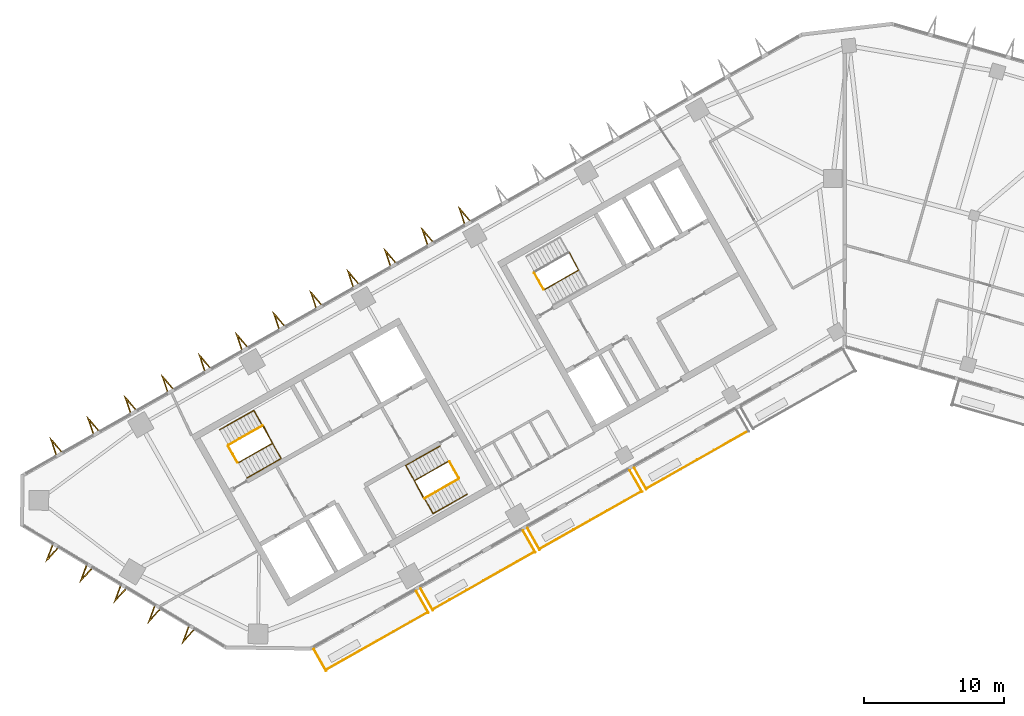
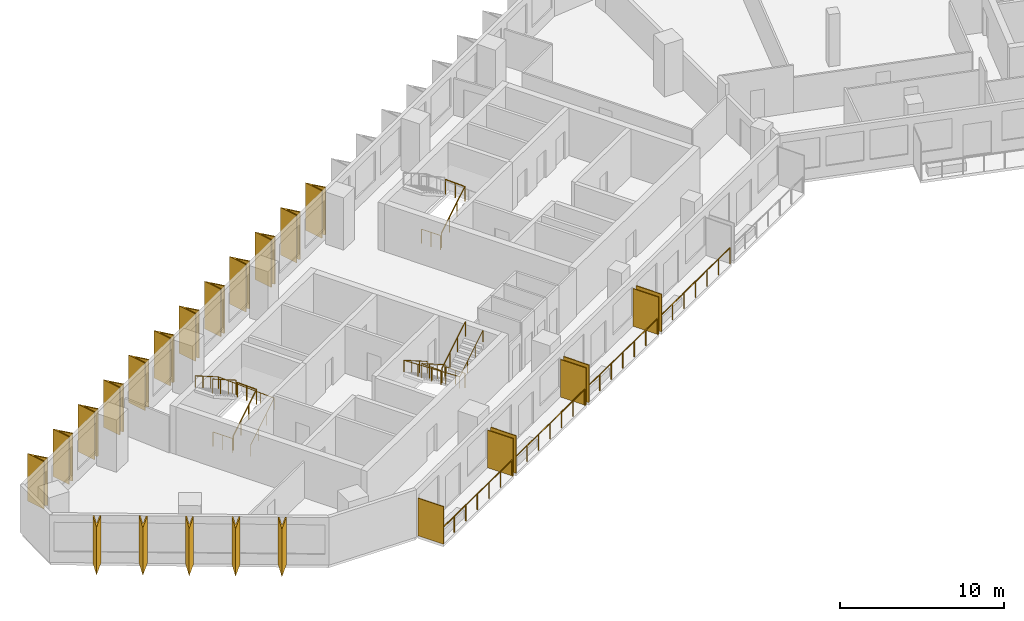
# One storey, part 10 of 12: 24 shading devices, 14 railings.
"""IFC4 building model written with IfcOpenShell, lengths in metres."""

import ifcopenshell
import ifcopenshell.guid

model = None  # the IFC model being written
_history = None  # IfcOwnerHistory: only IFC2X3 demands one
_inside = {}  # id of a spatial element -> (the spatial element, [elements in it])
_under = {}  # id of a project, library or spatial element -> (it, [spatial elements below it])
_declared = {}  # id of a project -> (the project, [libraries it declares])
_typed = {}  # id of a type object -> (the type object, [elements of that type])
_made_of = {}  # id of a material, layer set ... -> (it, [elements and type objects made of it])


def new_model(schema):
    """Start an empty IFC model of exactly this schema.

    Asked for "IFC4X3", IfcOpenShell would pick the latest addendum, in which some entities
    have other attributes; the version numbers below select the first issue.
    IFC2X3 requires an IfcOwnerHistory on every rooted entity: one is made here for all.
    """
    global model, _history
    if schema == "IFC4X3":
        model = ifcopenshell.file(schema_version=(4, 3, 0, 0))
    else:
        model = ifcopenshell.file(schema=schema)
    _inside.clear()
    _under.clear()
    _declared.clear()
    _typed.clear()
    _made_of.clear()
    _history = None
    if model.schema == "IFC2X3":
        org = make("IfcOrganization", Name="unknown")
        user = make(
            "IfcPersonAndOrganization",
            ThePerson=make("IfcPerson", FamilyName="unknown"),
            TheOrganization=org,
        )
        app = make(
            "IfcApplication",
            ApplicationDeveloper=org,
            Version="unknown",
            ApplicationFullName="unknown",
            ApplicationIdentifier="unknown",
        )
        _history = make(
            "IfcOwnerHistory",
            OwningUser=user,
            OwningApplication=app,
            ChangeAction="ADDED",
            CreationDate=0,
        )
    return model


def make(cls, **values):
    """One entity of the class cls with the attributes given. An attribute that is None is left unset."""
    return model.create_entity(
        cls, **{name: value for name, value in values.items() if value is not None}
    )


def rooted(cls, **values):
    """An entity with a GlobalId (a new one), such as an element, a storey or a relation."""
    return make(cls, GlobalId=ifcopenshell.guid.new(), OwnerHistory=_history, **values)


def si_unit(unit_type, name, prefix=None):
    """IfcSIUnit, for example si_unit("LENGTHUNIT", "METRE", prefix="MILLI")."""
    return make("IfcSIUnit", UnitType=unit_type, Prefix=prefix, Name=name)


def assignment(units):
    """IfcUnitAssignment: the units of a project."""
    return None if units is None else make("IfcUnitAssignment", Units=units)


def point(xyz):
    """IfcCartesianPoint."""
    return None if xyz is None else make("IfcCartesianPoint", Coordinates=xyz)


def direction(xyz):
    """IfcDirection."""
    return None if xyz is None else make("IfcDirection", DirectionRatios=xyz)


def frame(location, z_axis=None, x_axis=None):
    """IfcAxis2Placement3D, a coordinate frame: its origin and axes. An axis left out is left unset."""
    return make(
        "IfcAxis2Placement3D",
        Location=point(location),
        Axis=direction(z_axis),
        RefDirection=direction(x_axis),
    )


def frame_2d(location, x_axis=None):
    """IfcAxis2Placement2D, a coordinate frame in the plane: its origin and x axis."""
    return make(
        "IfcAxis2Placement2D", Location=point(location), RefDirection=direction(x_axis)
    )


def origin():
    """The frame at (0, 0, 0) with its axes left unset."""
    return frame((0.0, 0.0, 0.0))


def origin_2d():
    """The frame at (0, 0) in the plane with its x axis left unset."""
    return frame_2d((0.0, 0.0))


def place(relative_to, where):
    """IfcLocalPlacement: puts the frame where relative to a parent placement (None: the world)."""
    return make(
        "IfcLocalPlacement", PlacementRelTo=relative_to, RelativePlacement=where
    )


def context(
    kind, dimensions, precision=None, world=None, true_north=None, identifier=None
):
    """IfcGeometricRepresentationContext, for example the 3D "Model" context."""
    return make(
        "IfcGeometricRepresentationContext",
        ContextIdentifier=identifier,
        ContextType=kind,
        CoordinateSpaceDimension=dimensions,
        Precision=precision,
        WorldCoordinateSystem=world,
        TrueNorth=true_north,
    )


def subcontext(parent, identifier, kind, view, scale=None):
    """IfcGeometricRepresentationSubContext, for example "Body" below "Model"."""
    return make(
        "IfcGeometricRepresentationSubContext",
        ContextIdentifier=identifier,
        ContextType=kind,
        ParentContext=parent,
        TargetScale=scale,
        TargetView=view,
    )


def project(units=None, contexts=None):
    """IfcProject with its units and contexts."""
    return rooted(
        "IfcProject",
        Name="project",
        RepresentationContexts=contexts,
        UnitsInContext=assignment(units),
    )


def spatial(cls, under=None, at=None, **own):
    """A site, building, storey or space (cls), placed at a placement, below another one or the project."""
    s = rooted(cls, ObjectPlacement=at, **own)
    if under is not None:
        _under.setdefault(under.id(), (under, []))[1].append(s)
    return s


def polyline(points):
    """IfcPolyline through the points."""
    return make("IfcPolyline", Points=[point(p) for p in points])


def profile(cls, at=None, kind="AREA", **sizes):
    """A parametric profile (cls). Its sizes go by their IFC names, for example OverallWidth=200.0."""
    return make(cls, ProfileType=kind, Position=at, **sizes)


def rectangle(**sizes):
    """IfcRectangleProfileDef."""
    return profile("IfcRectangleProfileDef", **sizes)


def circle(**sizes):
    """IfcCircleProfileDef."""
    return profile("IfcCircleProfileDef", **sizes)


def outline(outer, holes=None, kind="AREA"):
    """IfcArbitraryClosedProfileDef: a profile drawn as a closed curve; with holes, ...WithVoids."""
    if holes is None:
        return make("IfcArbitraryClosedProfileDef", ProfileType=kind, OuterCurve=outer)
    return make(
        "IfcArbitraryProfileDefWithVoids",
        ProfileType=kind,
        OuterCurve=outer,
        InnerCurves=holes,
    )


def extrude(swept, where, along, depth):
    """IfcExtrudedAreaSolid: the profile swept, set in the frame where, extruded along a direction by depth."""
    return make(
        "IfcExtrudedAreaSolid",
        SweptArea=swept,
        Position=where,
        ExtrudedDirection=direction(along),
        Depth=depth,
    )


def shape(context_of_items, identifier, shape_type, items):
    """IfcShapeRepresentation: the items that make up one representation, for example the "Body"."""
    return make(
        "IfcShapeRepresentation",
        ContextOfItems=context_of_items,
        RepresentationIdentifier=identifier,
        RepresentationType=shape_type,
        Items=items,
    )


def material(Name=None, Category=None):
    """IfcMaterial."""
    return make("IfcMaterial", Name=Name, Category=Category)


def layer(
    of_material, thickness, ventilated=None, Name=None, Category=None, Priority=None
):
    """IfcMaterialLayer: one layer of a wall or slab, of a material (None: an air gap)."""
    return make(
        "IfcMaterialLayer",
        Material=of_material,
        LayerThickness=thickness,
        IsVentilated=ventilated,
        Name=Name,
        Category=Category,
        Priority=Priority,
    )


def layer_set(layers, Name=None):
    """IfcMaterialLayerSet."""
    return make("IfcMaterialLayerSet", MaterialLayers=layers, LayerSetName=Name)


def made_of(thing, what):
    """Note that an element or type object is made of a material, layer set ...; save() writes the relation."""
    if what is not None:
        _made_of.setdefault(what.id(), (what, []))[1].append(thing)
    return thing


def type_object(cls, material=None, **own):
    """A type object (cls), such as IfcWallType, which elements share."""
    return made_of(rooted(cls, **own), material)


def element(
    cls,
    number,
    at=None,
    inside=None,
    cuts=None,
    type_object=None,
    material=None,
    context=None,
    identifier="Body",
    shape_type=None,
    held_by="IfcProductDefinitionShape",
    body=None,
    shapes=None,
    **own,
):
    """One element of the class cls, such as IfcWall. Its Tag is "e" and its number.

    at: its placement. inside: the storey or other place that contains it. cuts: it is an
    opening in that element (IfcRelVoidsElement). A single representation is given by context,
    identifier, shape_type and body (its items); several are given by shapes. held_by: the class
    of the entity that holds the representations. save() writes the other relations.
    """
    e = rooted(cls, Tag="e%d" % number, ObjectPlacement=at, **own)
    if body is not None:
        shapes = [shape(context, identifier, shape_type, body)]
    if shapes is not None:
        e.Representation = make(held_by, Representations=shapes)
    if inside is not None:
        _inside.setdefault(inside.id(), (inside, []))[1].append(e)
    if cuts is not None:
        rooted(
            "IfcRelVoidsElement", RelatingBuildingElement=cuts, RelatedOpeningElement=e
        )
    if type_object is not None:
        _typed.setdefault(type_object.id(), (type_object, []))[1].append(e)
    return made_of(e, material)


def aggregate(whole, parts):
    """IfcRelAggregates: a whole, such as a stair, and the parts it consists of."""
    return rooted("IfcRelAggregates", RelatingObject=whole, RelatedObjects=parts)


def save(model, path):
    """Write the relations noted so far, then the file.

    IfcRelAggregates (storeys below a building ...), IfcRelContainedInSpatialStructure (elements
    in a storey), IfcRelDefinesByType, IfcRelAssociatesMaterial and IfcRelDeclares: one each for
    every whole, place, type object, material and project.
    """
    for whole, parts in _under.values():
        aggregate(whole, parts)
    for where, things in _inside.values():
        rooted(
            "IfcRelContainedInSpatialStructure",
            RelatedElements=things,
            RelatingStructure=where,
        )
    for kind, things in _typed.values():
        rooted("IfcRelDefinesByType", RelatedObjects=things, RelatingType=kind)
    for what, things in _made_of.values():
        rooted("IfcRelAssociatesMaterial", RelatedObjects=things, RelatingMaterial=what)
    for by, libraries in _declared.values():
        rooted("IfcRelDeclares", RelatingContext=by, RelatedDefinitions=libraries)
    model.write(path)


model = new_model("IFC4")

# Units and contexts
model_context = context("Model", 3, precision=1e-05, world=origin(), true_north=direction((0.0, 1.0)))
body_context = subcontext(model_context, "Body", "Model", "MODEL_VIEW")
ifc_project = project(units=[si_unit("LENGTHUNIT", "METRE"), si_unit("AREAUNIT", "SQUARE_METRE"), si_unit("VOLUMEUNIT", "CUBIC_METRE"), si_unit("PLANEANGLEUNIT", "RADIAN"), si_unit("MASSUNIT", "GRAM", prefix="KILO")], contexts=[model_context])

# Site, building, storey
site_placement = place(None, origin())
site = spatial("IfcSite", under=ifc_project, at=site_placement, CompositionType="ELEMENT")
building_placement = place(site_placement, origin())
building = spatial("IfcBuilding", under=site, at=building_placement, Name="Binnacle Exchange Tower", CompositionType="ELEMENT")
storey_placement = place(building_placement, frame((0.0, 0.0, 254.300048828125)))
storey = spatial("IfcBuildingStorey", under=building, at=storey_placement, Name="L56", CompositionType="ELEMENT", Elevation=254.300048828125)

# Railings
ifc_material_1 = material(Name="Bronze anodised aluminium frame", Category="aluminium")
railing_type_1 = type_object("IfcRailingType", Name="GUARD 1200", PredefinedType="GUARDRAIL", material=ifc_material_1)
railing_1_placement = place(storey_placement, frame((-37.006591796875, 24.94287109375, 0.0)))
element("IfcRailing", 1, at=railing_1_placement, inside=storey, type_object=railing_type_1, Name="Balcony guard G01-B00 L56", PredefinedType="GUARDRAIL", context=body_context, shape_type="SweptSolid", body=[
    extrude(circle(Radius=0.02392578125, at=origin_2d()), frame((0.0, 0.0, 1.17578125), z_axis=(0.870353267448, 0.492427852424, 0.0), x_axis=(-0.492427852424, 0.870353267448, 0.0)), (0.0, 0.0, 1.0), 8.334716796875),
    extrude(circle(Radius=0.02099609375, at=origin_2d()), origin(), (0.0, 0.0, 1.0), 1.15185546875),
    extrude(circle(Radius=0.02099609375, at=origin_2d()), frame((1.208984375, 0.68408203125, 0.0)), (0.0, 0.0, 1.0), 1.15185546875),
    extrude(circle(Radius=0.02099609375, at=origin_2d()), frame((2.41796875, 1.3681640625, 0.0)), (0.0, 0.0, 1.0), 1.15185546875),
    extrude(circle(Radius=0.02099609375, at=origin_2d()), frame((3.626953125, 2.05224609375, 0.0)), (0.0, 0.0, 1.0), 1.15185546875),
    extrude(circle(Radius=0.02099609375, at=origin_2d()), frame((4.836181640625, 2.736083984375, 0.0)), (0.0, 0.0, 1.0), 1.15185546875),
    extrude(circle(Radius=0.02099609375, at=origin_2d()), frame((6.045166015625, 3.420166015625, 0.0)), (0.0, 0.0, 1.0), 1.15185546875),
    extrude(circle(Radius=0.02099609375, at=origin_2d()), frame((7.254150390625, 4.104248046875, 0.0)), (0.0, 0.0, 1.0), 1.15185546875),
])
railing_2_placement = place(storey_placement, frame((-29.386962890625, 29.25390625, 0.0)))
element("IfcRailing", 2, at=railing_2_placement, inside=storey, type_object=railing_type_1, Name="Balcony guard G01-B01 L56", PredefinedType="GUARDRAIL", context=body_context, shape_type="SweptSolid", body=[
    extrude(circle(Radius=0.02392578125, at=origin_2d()), frame((0.0, 0.0, 1.17578125), z_axis=(0.870365821494, 0.492405662818, 0.0), x_axis=(-0.492405662818, 0.870365821494, 0.0)), (0.0, 0.0, 1.0), 8.334716796875),
    extrude(circle(Radius=0.02099609375, at=origin_2d()), origin(), (0.0, 0.0, 1.0), 1.15185546875),
    extrude(circle(Radius=0.02099609375, at=origin_2d()), frame((1.208984375, 0.68408203125, 0.0)), (0.0, 0.0, 1.0), 1.15185546875),
    extrude(circle(Radius=0.02099609375, at=origin_2d()), frame((2.41796875, 1.367919921875, 0.0)), (0.0, 0.0, 1.0), 1.15185546875),
    extrude(circle(Radius=0.02099609375, at=origin_2d()), frame((3.626953125, 2.052001953125, 0.0)), (0.0, 0.0, 1.0), 1.15185546875),
    extrude(circle(Radius=0.02099609375, at=origin_2d()), frame((4.836181640625, 2.736083984375, 0.0)), (0.0, 0.0, 1.0), 1.15185546875),
    extrude(circle(Radius=0.02099609375, at=origin_2d()), frame((6.045166015625, 3.419921875, 0.0)), (0.0, 0.0, 1.0), 1.15185546875),
    extrude(circle(Radius=0.02099609375, at=origin_2d()), frame((7.254150390625, 4.10400390625, 0.0)), (0.0, 0.0, 1.0), 1.15185546875),
])
for number, where, name in (
    (3, (-21.767333984375, 33.564697265625, 0.0), "Balcony guard G01-B02 L56"),
    (4, (-14.147705078125, 37.875732421875, 0.0), "Balcony guard G01-B03 L56"),
):
    element("IfcRailing", number, at=place(storey_placement, frame(where)), inside=storey, type_object=railing_type_1, Name=name, PredefinedType="GUARDRAIL", context=body_context, shape_type="SweptSolid", body=[
        extrude(circle(Radius=0.02392578125, at=origin_2d()), frame((0.0, 0.0, 1.17578125), z_axis=(0.8703461643, 0.49244040684, 0.0), x_axis=(-0.49244040684, 0.8703461643, 0.0)), (0.0, 0.0, 1.0), 8.33447265625),
        extrude(circle(Radius=0.02099609375, at=origin_2d()), origin(), (0.0, 0.0, 1.0), 1.15185546875),
        extrude(circle(Radius=0.02099609375, at=origin_2d()), frame((1.208984375, 0.68408203125, 0.0)), (0.0, 0.0, 1.0), 1.15185546875),
        extrude(circle(Radius=0.02099609375, at=origin_2d()), frame((2.41796875, 1.3681640625, 0.0)), (0.0, 0.0, 1.0), 1.15185546875),
        extrude(circle(Radius=0.02099609375, at=origin_2d()), frame((3.626953125, 2.05224609375, 0.0)), (0.0, 0.0, 1.0), 1.15185546875),
        extrude(circle(Radius=0.02099609375, at=origin_2d()), frame((4.8359375, 2.736083984375, 0.0)), (0.0, 0.0, 1.0), 1.15185546875),
        extrude(circle(Radius=0.02099609375, at=origin_2d()), frame((6.044921875, 3.420166015625, 0.0)), (0.0, 0.0, 1.0), 1.15185546875),
        extrude(circle(Radius=0.02099609375, at=origin_2d()), frame((7.25390625, 4.104248046875, 0.0)), (0.0, 0.0, 1.0), 1.15185546875),
    ])

# Shading devices
ifc_material_2 = material(Name="Bronze aluminium louvre", Category="aluminium")
ifc_layer = layer(ifc_material_2, 0.06005859375)
ifc_layer_set = layer_set([ifc_layer], Name="PLANTED SCREEN 60x2800")
shading_device_type_1 = type_object("IfcShadingDeviceType", Name="PLANTED SCREEN 60x2800", PredefinedType="USERDEFINED", material=ifc_layer_set)
for number, where, z_axis, x_axis, name in (
    (5, (-37.436279296875, 25.641845703125, 0.0), (0.0, 0.0, 1.0), (0.87035569594, 0.492423560103, 0.0), "Planted screen G01-B00a L56"),
    (6, (-30.130126953125, 29.775390625, 0.0), (0.0, 0.0, 1.0), (0.87035569594, 0.492423560103, 0.0), "Planted screen G01-B00b L56"),
    (7, (-29.81689453125, 29.95263671875, 0.0), (0.0, 0.0, 1.0), (0.87035569594, 0.492423560103, 0.0), "Planted screen G01-B01a L56"),
    (8, (-22.510498046875, 34.08642578125, 0.0), (0.0, 0.0, 1.0), (0.87035569594, 0.492423560103, 0.0), "Planted screen G01-B01b L56"),
    (9, (-22.197265625, 34.263671875, 0.0), (0.0, 0.0, 1.0), (0.87035569594, 0.492423560103, 0.0), "Planted screen G01-B02a L56"),
    (10, (-14.89111328125, 38.3974609375, 0.0), (0.0, 0.0, 1.0), (0.87035569594, 0.492423560103, 0.0), "Planted screen G01-B02b L56"),
    (11, (-14.57763671875, 38.57470703125, 0.0), (0.0, 0.0, 1.0), (0.87035569594, 0.492423560103, 0.0), "Planted screen G01-B03a L56"),
):
    element("IfcShadingDevice", number, at=place(storey_placement, frame(where, z_axis=z_axis, x_axis=x_axis)), inside=storey, type_object=shading_device_type_1, Name=name, ObjectType="SCREEN", PredefinedType="USERDEFINED", context=body_context, shape_type="SweptSolid", body=[
        extrude(rectangle(XDim=0.06005859375, YDim=1.800048828125, at=origin_2d()), origin(), (0.0, 0.0, 1.0), 2.800048828125),
    ])

# Railings
ifc_material_3 = material(Name="Steel guard rail", Category="steel")
railing_type_2 = type_object("IfcRailingType", Name="STAIR GUARD 1100", PredefinedType="GUARDRAIL", material=ifc_material_3)
railing_3_placement = place(storey_placement, frame((-43.26171875, 39.71728515625, 0.17724609375)))
element("IfcRailing", 12, at=railing_3_placement, inside=storey, type_object=railing_type_2, Name="L56 STA1 stair guard 1", PredefinedType="GUARDRAIL", context=body_context, shape_type="SweptSolid", body=[
    extrude(circle(Radius=0.02392578125, at=origin_2d()), frame((0.0, 0.0, 1.076171875), z_axis=(0.735358749054, 0.416079564682, 0.534906819964), x_axis=(-0.492453686477, 0.870338650569, 0.0)), (0.0, 0.0, 1.0), 3.31396484375),
    extrude(circle(Radius=0.02392578125, at=origin_2d()), frame((2.43701171875, 1.37890625, 2.8486328125), z_axis=(-0.461100321709, 0.887348011391, 0.0), x_axis=(-0.887348011391, -0.461100321709, 0.0)), (0.0, 0.0, 1.0), 1.40087890625),
    extrude(circle(Radius=0.02099609375, at=origin_2d()), origin(), (0.0, 0.0, 1.0), 1.052001953125),
    extrude(circle(Radius=0.02099609375, at=origin_2d()), frame((0.812255859375, 0.459716796875, 0.5908203125)), (0.0, 0.0, 1.0), 1.052001953125),
    extrude(circle(Radius=0.02099609375, at=origin_2d()), frame((1.624755859375, 0.919189453125, 1.181884765625)), (0.0, 0.0, 1.0), 1.052001953125),
    extrude(circle(Radius=0.02099609375, at=origin_2d()), frame((2.43701171875, 1.37890625, 1.772705078125)), (0.0, 0.0, 1.0), 1.052001953125),
    extrude(circle(Radius=0.02099609375, at=origin_2d()), frame((2.114013671875, 2.00048828125, 1.772705078125)), (0.0, 0.0, 1.0), 1.052001953125),
    extrude(circle(Radius=0.02099609375, at=origin_2d()), frame((1.791015625, 2.6220703125, 1.772705078125)), (0.0, 0.0, 1.0), 1.052001953125),
])
railing_4_placement = place(storey_placement, frame((-41.538818359375, 42.358154296875, 2.127197265625)))
element("IfcRailing", 13, at=railing_4_placement, inside=storey, type_object=railing_type_2, Name="L56 STA1 stair guard 2", PredefinedType="GUARDRAIL", context=body_context, shape_type="SweptSolid", body=[
    extrude(circle(Radius=0.02392578125, at=origin_2d()), frame((0.0, 0.0, 1.076171875), z_axis=(-0.735358749054, -0.416079564682, 0.534906819964), x_axis=(0.492453686477, -0.870338650569, 0.0)), (0.0, 0.0, 1.0), 3.31396484375),
    extrude(circle(Radius=0.02099609375, at=origin_2d()), origin(), (0.0, 0.0, 1.0), 1.052001953125),
    extrude(circle(Radius=0.02099609375, at=origin_2d()), frame((-0.812255859375, -0.459716796875, 0.5908203125)), (0.0, 0.0, 1.0), 1.052001953125),
    extrude(circle(Radius=0.02099609375, at=origin_2d()), frame((-1.624755859375, -0.919189453125, 1.181884765625)), (0.0, 0.0, 1.0), 1.052001953125),
    extrude(circle(Radius=0.02099609375, at=origin_2d()), frame((-2.43701171875, -1.37890625, 1.772705078125)), (0.0, 0.0, 1.0), 1.052001953125),
])
railing_5_placement = place(storey_placement, frame((-43.329833984375, 39.736328125, 0.0)))
element("IfcRailing", 14, at=railing_5_placement, inside=storey, type_object=railing_type_2, Name="L56 STA1 stair guard 3", PredefinedType="GUARDRAIL", context=body_context, shape_type="SweptSolid", body=[
    extrude(circle(Radius=0.02392578125, at=origin_2d()), frame((0.0, 0.0, 1.076171875), z_axis=(-0.4924922531, 0.870316827734, 0.0), x_axis=(-0.870316827734, -0.4924922531, 0.0)), (0.0, 0.0, 1.0), 1.349853515625),
    extrude(circle(Radius=0.02099609375, at=origin_2d()), origin(), (0.0, 0.0, 1.0), 1.052001953125),
    extrude(circle(Radius=0.02099609375, at=origin_2d()), frame((-0.33251953125, 0.58740234375, 0.0)), (0.0, 0.0, 1.0), 1.052001953125),
    extrude(circle(Radius=0.02099609375, at=origin_2d()), frame((-0.664794921875, 1.1748046875, 0.0)), (0.0, 0.0, 1.0), 1.052001953125),
])
railing_6_placement = place(storey_placement, frame((-28.265380859375, 39.814453125, 0.17724609375)))
element("IfcRailing", 15, at=railing_6_placement, inside=storey, type_object=railing_type_2, Name="L56 STA2 stair guard 1", PredefinedType="GUARDRAIL", context=body_context, shape_type="SweptSolid", body=[
    extrude(circle(Radius=0.02392578125, at=origin_2d()), frame((0.0, 0.0, 1.076171875), z_axis=(-0.735381288273, -0.416018647052, 0.534923215202), x_axis=(0.492387636113, -0.870376019777, 0.0)), (0.0, 0.0, 1.0), 3.31396484375),
    extrude(circle(Radius=0.02392578125, at=origin_2d()), frame((-2.43701171875, -1.378662109375, 2.8486328125), z_axis=(0.460963092712, -0.887419307406, 0.0), x_axis=(0.887419307406, 0.460963092712, 0.0)), (0.0, 0.0, 1.0), 1.40087890625),
    extrude(circle(Radius=0.02099609375, at=origin_2d()), origin(), (0.0, 0.0, 1.0), 1.052001953125),
    extrude(circle(Radius=0.02099609375, at=origin_2d()), frame((-0.812255859375, -0.45947265625, 0.5908203125)), (0.0, 0.0, 1.0), 1.052001953125),
    extrude(circle(Radius=0.02099609375, at=origin_2d()), frame((-1.624755859375, -0.919189453125, 1.181884765625)), (0.0, 0.0, 1.0), 1.052001953125),
    extrude(circle(Radius=0.02099609375, at=origin_2d()), frame((-2.43701171875, -1.378662109375, 1.772705078125)), (0.0, 0.0, 1.0), 1.052001953125),
    extrude(circle(Radius=0.02099609375, at=origin_2d()), frame((-2.1142578125, -2.000244140625, 1.772705078125)), (0.0, 0.0, 1.0), 1.052001953125),
    extrude(circle(Radius=0.02099609375, at=origin_2d()), frame((-1.791259765625, -2.621826171875, 1.772705078125)), (0.0, 0.0, 1.0), 1.052001953125),
])
railing_7_placement = place(storey_placement, frame((-29.988525390625, 37.173583984375, 2.127197265625)))
element("IfcRailing", 16, at=railing_7_placement, inside=storey, type_object=railing_type_2, Name="L56 STA2 stair guard 2", PredefinedType="GUARDRAIL", context=body_context, shape_type="SweptSolid", body=[
    extrude(circle(Radius=0.02392578125, at=origin_2d()), frame((0.0, 0.0, 1.076171875), z_axis=(0.735358749054, 0.416079564682, 0.534906819964), x_axis=(-0.492453686477, 0.870338650569, 0.0)), (0.0, 0.0, 1.0), 3.31396484375),
    extrude(circle(Radius=0.02099609375, at=origin_2d()), origin(), (0.0, 0.0, 1.0), 1.052001953125),
    extrude(circle(Radius=0.02099609375, at=origin_2d()), frame((0.812255859375, 0.459716796875, 0.5908203125)), (0.0, 0.0, 1.0), 1.052001953125),
    extrude(circle(Radius=0.02099609375, at=origin_2d()), frame((1.624755859375, 0.919189453125, 1.181884765625)), (0.0, 0.0, 1.0), 1.052001953125),
    extrude(circle(Radius=0.02099609375, at=origin_2d()), frame((2.43701171875, 1.37890625, 1.772705078125)), (0.0, 0.0, 1.0), 1.052001953125),
])
railing_8_placement = place(storey_placement, frame((-28.197265625, 39.795654296875, 0.0)))
element("IfcRailing", 17, at=railing_8_placement, inside=storey, type_object=railing_type_2, Name="L56 STA2 stair guard 3", PredefinedType="GUARDRAIL", context=body_context, shape_type="SweptSolid", body=[
    extrude(circle(Radius=0.02392578125, at=origin_2d()), frame((0.0, 0.0, 1.076171875), z_axis=(0.49241474071, -0.870360685654, 0.0), x_axis=(0.870360685654, 0.49241474071, 0.0)), (0.0, 0.0, 1.0), 1.35009765625),
    extrude(circle(Radius=0.02099609375, at=origin_2d()), origin(), (0.0, 0.0, 1.0), 1.052001953125),
    extrude(circle(Radius=0.02099609375, at=origin_2d()), frame((0.33251953125, -0.58740234375, 0.0)), (0.0, 0.0, 1.0), 1.052001953125),
    extrude(circle(Radius=0.02099609375, at=origin_2d()), frame((0.664794921875, -1.175048828125, 0.0)), (0.0, 0.0, 1.0), 1.052001953125),
])
railing_9_placement = place(storey_placement, frame((-21.423828125, 52.07275390625, 0.17724609375)))
element("IfcRailing", 18, at=railing_9_placement, inside=storey, type_object=railing_type_2, Name="L56 STC1 stair guard 1", PredefinedType="GUARDRAIL", context=body_context, shape_type="SweptSolid", body=[
    extrude(circle(Radius=0.02392578125, at=origin_2d()), frame((0.0, 0.0, 1.076171875), z_axis=(0.735381288273, 0.416018647052, 0.534923215202), x_axis=(-0.492387636113, 0.870376019777, 0.0)), (0.0, 0.0, 1.0), 3.31396484375),
    extrude(circle(Radius=0.02392578125, at=origin_2d()), frame((2.43701171875, 1.378662109375, 2.8486328125), z_axis=(-0.460963092712, 0.887419307406, 0.0), x_axis=(-0.887419307406, -0.460963092712, 0.0)), (0.0, 0.0, 1.0), 1.40087890625),
    extrude(circle(Radius=0.02099609375, at=origin_2d()), origin(), (0.0, 0.0, 1.0), 1.052001953125),
    extrude(circle(Radius=0.02099609375, at=origin_2d()), frame((0.812255859375, 0.45947265625, 0.5908203125)), (0.0, 0.0, 1.0), 1.052001953125),
    extrude(circle(Radius=0.02099609375, at=origin_2d()), frame((1.624755859375, 0.919189453125, 1.181884765625)), (0.0, 0.0, 1.0), 1.052001953125),
    extrude(circle(Radius=0.02099609375, at=origin_2d()), frame((2.43701171875, 1.378662109375, 1.772705078125)), (0.0, 0.0, 1.0), 1.052001953125),
    extrude(circle(Radius=0.02099609375, at=origin_2d()), frame((2.1142578125, 2.000244140625, 1.772705078125)), (0.0, 0.0, 1.0), 1.052001953125),
    extrude(circle(Radius=0.02099609375, at=origin_2d()), frame((1.791259765625, 2.621826171875, 1.772705078125)), (0.0, 0.0, 1.0), 1.052001953125),
])
railing_10_placement = place(storey_placement, frame((-21.491943359375, 52.091552734375, 0.0)))
element("IfcRailing", 19, at=railing_10_placement, inside=storey, type_object=railing_type_2, Name="L56 STC1 stair guard 3", PredefinedType="GUARDRAIL", context=body_context, shape_type="SweptSolid", body=[
    extrude(circle(Radius=0.02392578125, at=origin_2d()), frame((0.0, 0.0, 1.076171875), z_axis=(-0.49241474071, 0.870360685654, 0.0), x_axis=(-0.870360685654, -0.49241474071, 0.0)), (0.0, 0.0, 1.0), 1.35009765625),
    extrude(circle(Radius=0.02099609375, at=origin_2d()), origin(), (0.0, 0.0, 1.0), 1.052001953125),
    extrude(circle(Radius=0.02099609375, at=origin_2d()), frame((-0.33251953125, 0.58740234375, 0.0)), (0.0, 0.0, 1.0), 1.052001953125),
    extrude(circle(Radius=0.02099609375, at=origin_2d()), frame((-0.664794921875, 1.175048828125, 0.0)), (0.0, 0.0, 1.0), 1.052001953125),
])
ifc_material_4 = material(Name="Steel handrail", Category="steel")
railing_type_3 = type_object("IfcRailingType", Name="STAIR HANDRAIL 900", PredefinedType="HANDRAIL", material=ifc_material_4)
railing_11_placement = place(storey_placement, frame((-42.646240234375, 38.62939453125, 0.17724609375)))
element("IfcRailing", 20, at=railing_11_placement, inside=storey, type_object=railing_type_3, Name="L56 STA1 stair handrail 1", PredefinedType="HANDRAIL", context=body_context, shape_type="SweptSolid", body=[
    extrude(circle(Radius=0.02392578125, at=origin_2d()), frame((0.0, 0.0, 0.8759765625), z_axis=(0.735381288273, 0.416018647052, 0.534923215202), x_axis=(-0.492387636113, 0.870376019777, 0.0)), (0.0, 0.0, 1.0), 3.31396484375),
    extrude(circle(Radius=0.02392578125, at=origin_2d()), frame((2.43701171875, 1.378662109375, 2.6484375), z_axis=(-0.491918640963, 0.869486419234, 0.044826526087), x_axis=(-0.870361318571, -0.492413622004, 0.0)), (0.0, 0.0, 1.0), 3.9541015625),
    extrude(circle(Radius=0.02392578125, at=origin_2d()), frame((0.491943359375, 4.816650390625, 2.82568359375), z_axis=(-0.735381288273, -0.416018647052, 0.534923215202), x_axis=(0.492387636113, -0.870376019777, 0.0)), (0.0, 0.0, 1.0), 3.31396484375),
    extrude(circle(Radius=0.02099609375, at=origin_2d()), origin(), (0.0, 0.0, 1.0), 0.851806640625),
    extrude(circle(Radius=0.02099609375, at=origin_2d()), frame((0.812255859375, 0.45947265625, 0.5908203125)), (0.0, 0.0, 1.0), 0.851806640625),
    extrude(circle(Radius=0.02099609375, at=origin_2d()), frame((1.624755859375, 0.919189453125, 1.181884765625)), (0.0, 0.0, 1.0), 0.851806640625),
    extrude(circle(Radius=0.02099609375, at=origin_2d()), frame((2.43701171875, 1.378662109375, 1.772705078125)), (0.0, 0.0, 1.0), 0.851806640625),
    extrude(circle(Radius=0.02099609375, at=origin_2d()), frame((1.95068359375, 2.23828125, 1.81689453125)), (0.0, 0.0, 1.0), 0.851806640625),
    extrude(circle(Radius=0.02099609375, at=origin_2d()), frame((1.46435546875, 3.09765625, 1.861328125)), (0.0, 0.0, 1.0), 0.851806640625),
    extrude(circle(Radius=0.02099609375, at=origin_2d()), frame((0.978271484375, 3.95703125, 1.90576171875)), (0.0, 0.0, 1.0), 0.851806640625),
    extrude(circle(Radius=0.02099609375, at=origin_2d()), frame((0.491943359375, 4.816650390625, 1.949951171875)), (0.0, 0.0, 1.0), 0.851806640625),
    extrude(circle(Radius=0.02099609375, at=origin_2d()), frame((-0.3203125, 4.357177734375, 2.540771484375)), (0.0, 0.0, 1.0), 0.851806640625),
    extrude(circle(Radius=0.02099609375, at=origin_2d()), frame((-1.1328125, 3.8974609375, 3.1318359375)), (0.0, 0.0, 1.0), 0.851806640625),
    extrude(circle(Radius=0.02099609375, at=origin_2d()), frame((-1.945068359375, 3.43798828125, 3.72265625)), (0.0, 0.0, 1.0), 0.851806640625),
])
railing_12_placement = place(storey_placement, frame((-28.880859375, 40.90234375, 0.17724609375)))
element("IfcRailing", 21, at=railing_12_placement, inside=storey, type_object=railing_type_3, Name="L56 STA2 stair handrail 1", PredefinedType="HANDRAIL", context=body_context, shape_type="SweptSolid", body=[
    extrude(circle(Radius=0.02392578125, at=origin_2d()), frame((0.0, 0.0, 0.8759765625), z_axis=(-0.735381288273, -0.416018647052, 0.534923215202), x_axis=(0.492387636113, -0.870376019777, 0.0)), (0.0, 0.0, 1.0), 3.31396484375),
    extrude(circle(Radius=0.02392578125, at=origin_2d()), frame((-2.43701171875, -1.378662109375, 2.6484375), z_axis=(0.491918640963, -0.869486419234, 0.044826526087), x_axis=(0.870361318571, 0.492413622004, 0.0)), (0.0, 0.0, 1.0), 3.9541015625),
    extrude(circle(Radius=0.02392578125, at=origin_2d()), frame((-0.491943359375, -4.816650390625, 2.82568359375), z_axis=(0.735358749054, 0.416079564682, 0.534906819964), x_axis=(-0.492453686477, 0.870338650569, 0.0)), (0.0, 0.0, 1.0), 3.31396484375),
    extrude(circle(Radius=0.02099609375, at=origin_2d()), origin(), (0.0, 0.0, 1.0), 0.851806640625),
    extrude(circle(Radius=0.02099609375, at=origin_2d()), frame((-0.812255859375, -0.45947265625, 0.5908203125)), (0.0, 0.0, 1.0), 0.851806640625),
    extrude(circle(Radius=0.02099609375, at=origin_2d()), frame((-1.624755859375, -0.919189453125, 1.181884765625)), (0.0, 0.0, 1.0), 0.851806640625),
    extrude(circle(Radius=0.02099609375, at=origin_2d()), frame((-2.43701171875, -1.378662109375, 1.772705078125)), (0.0, 0.0, 1.0), 0.851806640625),
    extrude(circle(Radius=0.02099609375, at=origin_2d()), frame((-1.95068359375, -2.23828125, 1.81689453125)), (0.0, 0.0, 1.0), 0.851806640625),
    extrude(circle(Radius=0.02099609375, at=origin_2d()), frame((-1.46435546875, -3.09765625, 1.861328125)), (0.0, 0.0, 1.0), 0.851806640625),
    extrude(circle(Radius=0.02099609375, at=origin_2d()), frame((-0.978271484375, -3.95703125, 1.90576171875)), (0.0, 0.0, 1.0), 0.851806640625),
    extrude(circle(Radius=0.02099609375, at=origin_2d()), frame((-0.491943359375, -4.816650390625, 1.949951171875)), (0.0, 0.0, 1.0), 0.851806640625),
    extrude(circle(Radius=0.02099609375, at=origin_2d()), frame((0.3203125, -4.35693359375, 2.540771484375)), (0.0, 0.0, 1.0), 0.851806640625),
    extrude(circle(Radius=0.02099609375, at=origin_2d()), frame((1.1328125, -3.8974609375, 3.1318359375)), (0.0, 0.0, 1.0), 0.851806640625),
    extrude(circle(Radius=0.02099609375, at=origin_2d()), frame((1.945068359375, -3.437744140625, 3.72265625)), (0.0, 0.0, 1.0), 0.851806640625),
])

# Shading devices
ifc_material_5 = material(Name="Bronze aluminium cladding", Category="aluminium")
shading_device_type_2 = type_object("IfcShadingDeviceType", Name="V FIN 1300 DEEP x 3550 HIGH", PredefinedType="USERDEFINED", material=ifc_material_5)
shading_device_1_placement = place(storey_placement, origin())
element("IfcShadingDevice", 22, at=shading_device_1_placement, inside=storey, type_object=shading_device_type_2, Name="V fin FN-G08-09 L56", ObjectType="FIN", PredefinedType="USERDEFINED", context=body_context, shape_type="SweptSolid", body=[
    extrude(outline(polyline([(-26.72900390625, 57.02099609375), (-27.586669921875, 58.029541015625), (-27.1640625, 56.77490234375), (-27.09326171875, 56.81494140625), (-27.3779296875, 57.660888671875), (-26.7998046875, 56.98095703125), (-26.72900390625, 57.02099609375)])), origin(), (0.0, 0.0, 1.0), 3.550048828125),
])
shading_device_2_placement = place(storey_placement, origin())
element("IfcShadingDevice", 23, at=shading_device_2_placement, inside=storey, type_object=shading_device_type_2, Name="V fin FN-G08-10 L56", ObjectType="FIN", PredefinedType="USERDEFINED", context=body_context, shape_type="SweptSolid", body=[
    extrude(outline(polyline([(-29.377685546875, 55.5224609375), (-30.2353515625, 56.531005859375), (-29.812744140625, 55.2763671875), (-29.741943359375, 55.31640625), (-30.026611328125, 56.162109375), (-29.448486328125, 55.482421875), (-29.377685546875, 55.5224609375)])), origin(), (0.0, 0.0, 1.0), 3.550048828125),
])
shading_device_3_placement = place(storey_placement, origin())
element("IfcShadingDevice", 24, at=shading_device_3_placement, inside=storey, type_object=shading_device_type_2, Name="V fin FN-G08-11 L56", ObjectType="FIN", PredefinedType="USERDEFINED", context=body_context, shape_type="SweptSolid", body=[
    extrude(outline(polyline([(-32.0263671875, 54.02392578125), (-32.884033203125, 55.032470703125), (-32.46142578125, 53.77783203125), (-32.390625, 53.81787109375), (-32.67529296875, 54.663818359375), (-32.09716796875, 53.98388671875), (-32.0263671875, 54.02392578125)])), origin(), (0.0, 0.0, 1.0), 3.550048828125),
])
shading_device_4_placement = place(storey_placement, origin())
element("IfcShadingDevice", 25, at=shading_device_4_placement, inside=storey, type_object=shading_device_type_2, Name="V fin FN-G08-12 L56", ObjectType="FIN", PredefinedType="USERDEFINED", context=body_context, shape_type="SweptSolid", body=[
    extrude(outline(polyline([(-34.675048828125, 52.525390625), (-35.53271484375, 53.53369140625), (-35.110107421875, 52.279296875), (-35.039306640625, 52.3193359375), (-35.32421875, 53.1650390625), (-34.745849609375, 52.4853515625), (-34.675048828125, 52.525390625)])), origin(), (0.0, 0.0, 1.0), 3.550048828125),
])
shading_device_5_placement = place(storey_placement, origin())
element("IfcShadingDevice", 26, at=shading_device_5_placement, inside=storey, type_object=shading_device_type_2, Name="V fin FN-G08-13 L56", ObjectType="FIN", PredefinedType="USERDEFINED", context=body_context, shape_type="SweptSolid", body=[
    extrude(outline(polyline([(-37.32373046875, 51.02685546875), (-38.181640625, 52.03515625), (-37.759033203125, 50.780517578125), (-37.68798828125, 50.82080078125), (-37.972900390625, 51.66650390625), (-37.394775390625, 50.98681640625), (-37.32373046875, 51.02685546875)])), origin(), (0.0, 0.0, 1.0), 3.550048828125),
])
shading_device_6_placement = place(storey_placement, origin())
element("IfcShadingDevice", 27, at=shading_device_6_placement, inside=storey, type_object=shading_device_type_2, Name="V fin FN-G08-14 L56", ObjectType="FIN", PredefinedType="USERDEFINED", context=body_context, shape_type="SweptSolid", body=[
    extrude(outline(polyline([(-39.972412109375, 49.5283203125), (-40.830322265625, 50.53662109375), (-40.40771484375, 49.281982421875), (-40.3369140625, 49.322021484375), (-40.62158203125, 50.16796875), (-40.04345703125, 49.488037109375), (-39.972412109375, 49.5283203125)])), origin(), (0.0, 0.0, 1.0), 3.550048828125),
])
shading_device_7_placement = place(storey_placement, origin())
element("IfcShadingDevice", 28, at=shading_device_7_placement, inside=storey, type_object=shading_device_type_2, Name="V fin FN-G08-15 L56", ObjectType="FIN", PredefinedType="USERDEFINED", context=body_context, shape_type="SweptSolid", body=[
    extrude(outline(polyline([(-42.621337890625, 48.029541015625), (-43.47900390625, 49.0380859375), (-43.056396484375, 47.783447265625), (-42.985595703125, 47.823486328125), (-43.2705078125, 48.669189453125), (-42.692138671875, 47.989501953125), (-42.621337890625, 48.029541015625)])), origin(), (0.0, 0.0, 1.0), 3.550048828125),
])
shading_device_8_placement = place(storey_placement, origin())
element("IfcShadingDevice", 29, at=shading_device_8_placement, inside=storey, type_object=shading_device_type_2, Name="V fin FN-G08-16 L56", ObjectType="FIN", PredefinedType="USERDEFINED", context=body_context, shape_type="SweptSolid", body=[
    extrude(outline(polyline([(-45.27001953125, 46.531005859375), (-46.127685546875, 47.539306640625), (-45.705078125, 46.284912109375), (-45.63427734375, 46.324951171875), (-45.919189453125, 47.170654296875), (-45.3408203125, 46.490966796875), (-45.27001953125, 46.531005859375)])), origin(), (0.0, 0.0, 1.0), 3.550048828125),
])
shading_device_9_placement = place(storey_placement, origin())
element("IfcShadingDevice", 30, at=shading_device_9_placement, inside=storey, type_object=shading_device_type_2, Name="V fin FN-G08-17 L56", ObjectType="FIN", PredefinedType="USERDEFINED", context=body_context, shape_type="SweptSolid", body=[
    extrude(outline(polyline([(-47.918701171875, 45.032470703125), (-48.776611328125, 46.040771484375), (-48.35400390625, 44.7861328125), (-48.283203125, 44.826416015625), (-48.56787109375, 45.672119140625), (-47.98974609375, 44.9921875), (-47.918701171875, 45.032470703125)])), origin(), (0.0, 0.0, 1.0), 3.550048828125),
])
shading_device_10_placement = place(storey_placement, origin())
element("IfcShadingDevice", 31, at=shading_device_10_placement, inside=storey, type_object=shading_device_type_2, Name="V fin FN-G08-18 L56", ObjectType="FIN", PredefinedType="USERDEFINED", context=body_context, shape_type="SweptSolid", body=[
    extrude(outline(polyline([(-50.5673828125, 43.533935546875), (-51.42529296875, 44.542236328125), (-51.002685546875, 43.28759765625), (-50.931884765625, 43.327880859375), (-51.216552734375, 44.173583984375), (-50.638427734375, 43.493896484375), (-50.5673828125, 43.533935546875)])), origin(), (0.0, 0.0, 1.0), 3.550048828125),
])
shading_device_11_placement = place(storey_placement, origin())
element("IfcShadingDevice", 32, at=shading_device_11_placement, inside=storey, type_object=shading_device_type_2, Name="V fin FN-G08-19 L56", ObjectType="FIN", PredefinedType="USERDEFINED", context=body_context, shape_type="SweptSolid", body=[
    extrude(outline(polyline([(-53.21630859375, 42.035400390625), (-54.073974609375, 43.043701171875), (-53.6513671875, 41.7890625), (-53.58056640625, 41.8291015625), (-53.865234375, 42.675048828125), (-53.287109375, 41.9951171875), (-53.21630859375, 42.035400390625)])), origin(), (0.0, 0.0, 1.0), 3.550048828125),
])
shading_device_12_placement = place(storey_placement, origin())
element("IfcShadingDevice", 33, at=shading_device_12_placement, inside=storey, type_object=shading_device_type_2, Name="V fin FN-G08-20 L56", ObjectType="FIN", PredefinedType="USERDEFINED", context=body_context, shape_type="SweptSolid", body=[
    extrude(outline(polyline([(-55.864990234375, 40.53662109375), (-56.722900390625, 41.545166015625), (-56.30029296875, 40.29052734375), (-56.229248046875, 40.33056640625), (-56.51416015625, 41.176513671875), (-55.935791015625, 40.49658203125), (-55.864990234375, 40.53662109375)])), origin(), (0.0, 0.0, 1.0), 3.550048828125),
])
shading_device_13_placement = place(storey_placement, origin())
element("IfcShadingDevice", 34, at=shading_device_13_placement, inside=storey, type_object=shading_device_type_2, Name="V fin FN-G10-01 L56", ObjectType="FIN", PredefinedType="USERDEFINED", context=body_context, shape_type="SweptSolid", body=[
    extrude(outline(polyline([(-56.566162109375, 33.842529296875), (-57.021240234375, 32.599365234375), (-56.137451171875, 33.5849609375), (-56.207275390625, 33.626953125), (-56.80322265625, 32.96240234375), (-56.496337890625, 33.800537109375), (-56.566162109375, 33.842529296875)])), origin(), (0.0, 0.0, 1.0), 3.550048828125),
])
shading_device_14_placement = place(storey_placement, origin())
element("IfcShadingDevice", 35, at=shading_device_14_placement, inside=storey, type_object=shading_device_type_2, Name="V fin FN-G10-02 L56", ObjectType="FIN", PredefinedType="USERDEFINED", context=body_context, shape_type="SweptSolid", body=[
    extrude(outline(polyline([(-54.137451171875, 32.38330078125), (-54.592529296875, 31.14013671875), (-53.708740234375, 32.12548828125), (-53.778564453125, 32.16748046875), (-54.37451171875, 31.503173828125), (-54.067626953125, 32.34130859375), (-54.137451171875, 32.38330078125)])), origin(), (0.0, 0.0, 1.0), 3.550048828125),
])
shading_device_15_placement = place(storey_placement, origin())
element("IfcShadingDevice", 36, at=shading_device_15_placement, inside=storey, type_object=shading_device_type_2, Name="V fin FN-G10-03 L56", ObjectType="FIN", PredefinedType="USERDEFINED", context=body_context, shape_type="SweptSolid", body=[
    extrude(outline(polyline([(-51.708740234375, 30.923828125), (-52.1640625, 29.680908203125), (-51.2802734375, 30.666259765625), (-51.35009765625, 30.708251953125), (-51.94580078125, 30.0439453125), (-51.638916015625, 30.8818359375), (-51.708740234375, 30.923828125)])), origin(), (0.0, 0.0, 1.0), 3.550048828125),
])
shading_device_16_placement = place(storey_placement, origin())
element("IfcShadingDevice", 37, at=shading_device_16_placement, inside=storey, type_object=shading_device_type_2, Name="V fin FN-G10-04 L56", ObjectType="FIN", PredefinedType="USERDEFINED", context=body_context, shape_type="SweptSolid", body=[
    extrude(outline(polyline([(-49.280029296875, 29.464599609375), (-49.7353515625, 28.2216796875), (-48.8515625, 29.20703125), (-48.92138671875, 29.2490234375), (-49.51708984375, 28.584716796875), (-49.210205078125, 29.422607421875), (-49.280029296875, 29.464599609375)])), origin(), (0.0, 0.0, 1.0), 3.550048828125),
])
shading_device_17_placement = place(storey_placement, origin())
element("IfcShadingDevice", 38, at=shading_device_17_placement, inside=storey, type_object=shading_device_type_2, Name="V fin FN-G10-05 L56", ObjectType="FIN", PredefinedType="USERDEFINED", context=body_context, shape_type="SweptSolid", body=[
    extrude(outline(polyline([(-46.8515625, 28.00537109375), (-47.306640625, 26.76220703125), (-46.4228515625, 27.747802734375), (-46.49267578125, 27.789794921875), (-47.088623046875, 27.12548828125), (-46.78173828125, 27.96337890625), (-46.8515625, 28.00537109375)])), origin(), (0.0, 0.0, 1.0), 3.550048828125),
])

save(model, "model.ifc")
